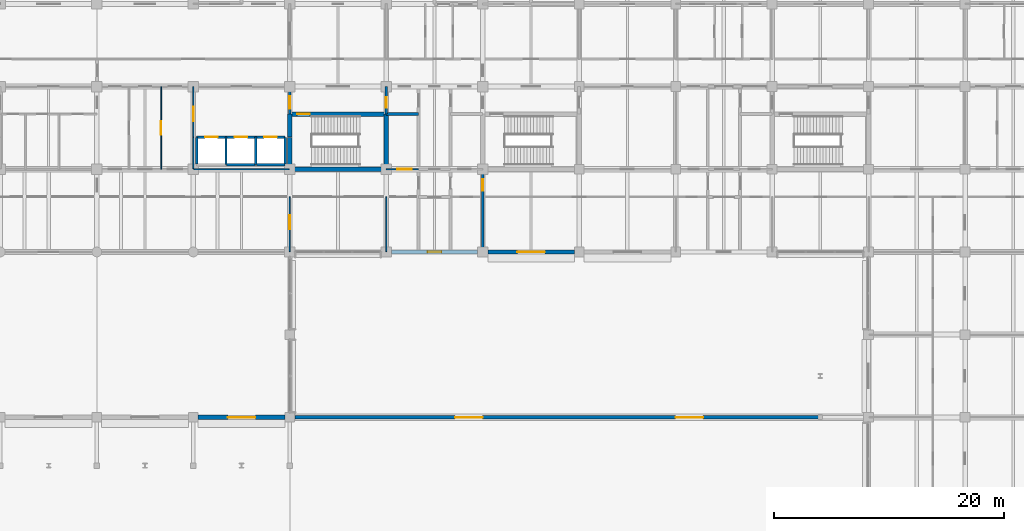
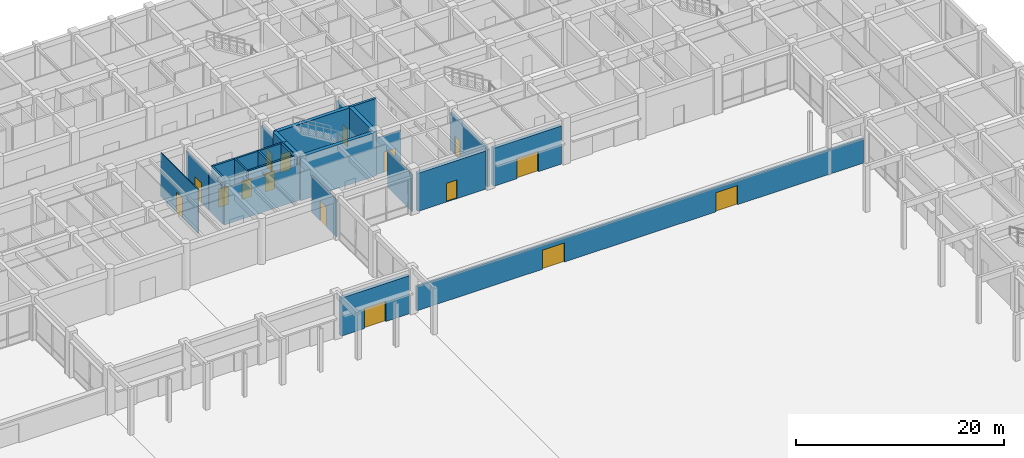
# One storey, part 48 of 73: 27 walls, 16 doors, 16 openings.
"""IFC4 building model written with IfcOpenShell, lengths in metres."""

from ifc_helpers import new_model, si_unit, direction, frame, frame_2d, origin, place, context, subcontext, project, spatial, rectangle, extrude, material, layer, layer_set, type_object, element, fill, save


model = new_model("IFC4")

# Units and contexts
model_context = context("Model", 3, precision=1e-05, world=origin(), true_north=direction((0.0, 1.0)))
body_context = subcontext(model_context, "Body", "Model", "MODEL_VIEW")
ifc_project = project(units=[si_unit("LENGTHUNIT", "METRE"), si_unit("AREAUNIT", "SQUARE_METRE"), si_unit("VOLUMEUNIT", "CUBIC_METRE"), si_unit("PLANEANGLEUNIT", "RADIAN"), si_unit("MASSUNIT", "GRAM", prefix="KILO")], contexts=[model_context])

# Site, building, storey
site_placement = place(None, origin())
site = spatial("IfcSite", under=ifc_project, at=site_placement, CompositionType="ELEMENT")
building_placement = place(site_placement, origin())
building = spatial("IfcBuilding", under=site, at=building_placement, Name="Chengyuan Square Courthouse", CompositionType="ELEMENT")
storey_placement = place(building_placement, origin())
storey = spatial("IfcBuildingStorey", under=building, at=storey_placement, Name="L01", CompositionType="ELEMENT", Elevation=0.0)

# Wall, opening, door
ifc_material_1 = material(Name="Concrete C40", Category="concrete")
ifc_layer_1 = layer(ifc_material_1, 0.3798828125)
ifc_layer_set_1 = layer_set([ifc_layer_1], Name="Concrete C40")
wall_type_1 = type_object("IfcWallType", Name="WL-EW1", PredefinedType="STANDARD", material=ifc_layer_set_1)
wall_1_placement = place(storey_placement, frame((92.820068359375, 64.800048828125, 0.0), z_axis=(0.0, 0.0, 1.0), x_axis=(1.0, 0.0, 0.0)))
wall_1 = element("IfcWall", 1, at=wall_1_placement, inside=storey, type_object=wall_type_1, Name="Exterior Wall WL-L01-E177", PredefinedType="STANDARD", context=body_context, shape_type="SweptSolid", body=[
    extrude(rectangle(XDim=7.559814453125, YDim=0.3798828125, at=frame_2d((3.77978515625, 0.0))), origin(), (0.0, 0.0, 1.0), 4.469970703125),
])
opening_1_placement = place(wall_1_placement, frame((2.580078125, 0.0, 0.0)))
opening_1 = element("IfcOpeningElement", 2, at=opening_1_placement, cuts=wall_1, Name="Opening E-12", PredefinedType="OPENING", context=body_context, shape_type="SweptSolid", body=[
    extrude(rectangle(XDim=2.39990234375, YDim=2.39990234375, at=frame_2d((1.199951171875, 1.199951171875))), frame((0.0, 0.201904296875, 0.0), z_axis=(0.0, -1.0, 0.0), x_axis=(1.0, 0.0, 0.0)), (0.0, 0.0, 1.0), 0.40380859375),
])
ifc_material_2 = material(Name="Glazed Bronze Civic Entrance Door")
door_type_1 = type_object("IfcDoorType", Name="DT-01", OperationType="DOUBLE_DOOR_SINGLE_SWING", PredefinedType="DOOR", material=ifc_material_2)
door_1_placement = place(opening_1_placement, frame((2.39990234375, 0.0, 0.0), z_axis=(0.0, 0.0, 1.0), x_axis=(-1.0, 0.0, 0.0)))
door_1 = element("IfcDoor", 3, at=door_1_placement, inside=storey, type_object=door_type_1, Name="Main Pedestrian Entrance Exit Door E-12", OperationType="DOUBLE_DOOR_SINGLE_SWING", OverallHeight=2.39990234375, OverallWidth=2.39990234375, PredefinedType="DOOR", context=body_context, shape_type="SweptSolid", body=[
    extrude(rectangle(XDim=2.39990234375, YDim=2.39990234375, at=frame_2d((1.199951171875, 1.199951171875))), frame((0.0, 0.02490234375, 0.0), z_axis=(0.0, -1.0, 0.0), x_axis=(1.0, 0.0, 0.0)), (0.0, 0.0, 1.0), 0.050048828125),
])
fill(opening_1, door_1)

wall_2_placement = place(storey_placement, frame((109.64501953125, 79.199951171875, 0.0), z_axis=(0.0, 0.0, 1.0), x_axis=(1.0, 0.0, 0.0)))
wall_2 = element("IfcWall", 4, at=wall_2_placement, inside=storey, type_object=wall_type_1, Name="Exterior Wall WL-L01-E180", PredefinedType="STANDARD", context=body_context, shape_type="SweptSolid", body=[
    extrude(rectangle(XDim=7.510009765625, YDim=0.3798828125, at=frame_2d((3.7548828125, 0.0))), origin(), (0.0, 0.0, 1.0), 4.469970703125),
])
opening_2_placement = place(wall_2_placement, frame((3.155029296875, 0.0, 0.0)))
opening_2 = element("IfcOpeningElement", 5, at=opening_2_placement, cuts=wall_2, Name="Opening E-27", PredefinedType="OPENING", context=body_context, shape_type="SweptSolid", body=[
    extrude(rectangle(XDim=1.199951171875, YDim=2.199951171875, at=frame_2d((0.60009765625, 1.10009765625))), frame((0.0, 0.201904296875, 0.0), z_axis=(0.0, -1.0, 0.0), x_axis=(1.0, 0.0, 0.0)), (0.0, 0.0, 1.0), 0.40380859375),
])
ifc_material_3 = material(Name="Steel Q235B Fire Exit Door", Category="steel")
door_type_2 = type_object("IfcDoorType", Name="DT-03", OperationType="NOTDEFINED", PredefinedType="DOOR", material=ifc_material_3)
door_2_placement = place(opening_2_placement, frame((1.199951171875, 0.0, 0.0), z_axis=(0.0, 0.0, 1.0), x_axis=(-1.0, 0.0, 0.0)))
door_2 = element("IfcDoor", 6, at=door_2_placement, inside=storey, type_object=door_type_2, Name="Protected Stair Exit Discharge Door E-27", OperationType="SINGLE_SWING_RIGHT", OverallHeight=2.199951171875, OverallWidth=1.199951171875, PredefinedType="DOOR", context=body_context, shape_type="SweptSolid", body=[
    extrude(rectangle(XDim=1.199951171875, YDim=2.199951171875, at=frame_2d((0.60009765625, 1.10009765625))), frame((0.0, 0.02490234375, 0.0), z_axis=(0.0, -1.0, 0.0), x_axis=(1.0, 0.0, 0.0)), (0.0, 0.0, 1.0), 0.050048828125),
])
fill(opening_2, door_2)

wall_3_placement = place(storey_placement, frame((118.044921875, 79.199951171875, 0.0), z_axis=(0.0, 0.0, 1.0), x_axis=(1.0, 0.0, 0.0)))
wall_3 = element("IfcWall", 7, at=wall_3_placement, inside=storey, type_object=wall_type_1, Name="Exterior Wall WL-L01-E183", PredefinedType="STANDARD", context=body_context, shape_type="SweptSolid", body=[
    extrude(rectangle(XDim=7.53515625, YDim=0.3798828125, at=frame_2d((3.767578125, 0.0))), origin(), (0.0, 0.0, 1.0), 4.469970703125),
])
opening_3_placement = place(wall_3_placement, frame((2.5673828125, 0.0, 0.0)))
opening_3 = element("IfcOpeningElement", 8, at=opening_3_placement, cuts=wall_3, Name="Opening E-14", PredefinedType="OPENING", context=body_context, shape_type="SweptSolid", body=[
    extrude(rectangle(XDim=2.39990234375, YDim=2.39990234375, at=frame_2d((1.199951171875, 1.199951171875))), frame((0.0, 0.201904296875, 0.0), z_axis=(0.0, -1.0, 0.0), x_axis=(1.0, 0.0, 0.0)), (0.0, 0.0, 1.0), 0.40380859375),
])
door_3_placement = place(opening_3_placement, frame((2.39990234375, 0.0, 0.0), z_axis=(0.0, 0.0, 1.0), x_axis=(-1.0, 0.0, 0.0)))
door_3 = element("IfcDoor", 9, at=door_3_placement, inside=storey, type_object=door_type_1, Name="Main Pedestrian Entrance Exit Door E-14", OperationType="DOUBLE_DOOR_SINGLE_SWING", OverallHeight=2.39990234375, OverallWidth=2.39990234375, PredefinedType="DOOR", context=body_context, shape_type="SweptSolid", body=[
    extrude(rectangle(XDim=2.39990234375, YDim=2.39990234375, at=frame_2d((1.199951171875, 1.199951171875))), frame((0.0, 0.02490234375, 0.0), z_axis=(0.0, -1.0, 0.0), x_axis=(1.0, 0.0, 0.0)), (0.0, 0.0, 1.0), 0.050048828125),
])
fill(opening_3, door_3)

# Wall, openings, doors
ifc_layer_2 = layer(ifc_material_1, 0.280029296875)
ifc_layer_set_2 = layer_set([ifc_layer_2], Name="Concrete C40")
wall_type_2 = type_object("IfcWallType", Name="WL-EW4", PredefinedType="STANDARD", material=ifc_layer_set_2)
wall_4_placement = place(storey_placement, frame((101.25, 64.800048828125, 0.0), z_axis=(0.0, 0.0, 1.0), x_axis=(1.0, 0.0, 0.0)))
wall_4 = element("IfcWall", 10, at=wall_4_placement, inside=storey, type_object=wall_type_2, Name="Forecourt Ceremonial Colonnade Screen WL-SCR-E", PredefinedType="STANDARD", context=body_context, shape_type="SweptSolid", body=[
    extrude(rectangle(XDim=49.5, YDim=0.280029296875, at=frame_2d((24.75, 0.0))), origin(), (0.0, 0.0, 1.0), 2.85009765625),
])
opening_4_placement = place(wall_4_placement, frame((13.949951171875, 0.0, 0.0)))
opening_4 = element("IfcOpeningElement", 11, at=opening_4_placement, cuts=wall_4, Name="Opening GT-04", PredefinedType="OPENING", context=body_context, shape_type="SweptSolid", body=[
    extrude(rectangle(XDim=2.39990234375, YDim=2.25, at=frame_2d((1.199951171875, 1.125))), frame((0.0, 0.152099609375, 0.0), z_axis=(0.0, -1.0, 0.0), x_axis=(1.0, 0.0, 0.0)), (0.0, 0.0, 1.0), 0.303955078125),
])
opening_5_placement = place(wall_4_placement, frame((33.14990234375, 0.0, 0.0)))
opening_5 = element("IfcOpeningElement", 12, at=opening_5_placement, cuts=wall_4, Name="Opening GT-05", PredefinedType="OPENING", context=body_context, shape_type="SweptSolid", body=[
    extrude(rectangle(XDim=2.39990234375, YDim=2.25, at=frame_2d((1.199951171875, 1.125))), frame((0.0, 0.152099609375, 0.0), z_axis=(0.0, -1.0, 0.0), x_axis=(1.0, 0.0, 0.0)), (0.0, 0.0, 1.0), 0.303955078125),
])
ifc_material_4 = material(Name="Steel Q235B Courtyard Gate", Category="steel")
door_type_3 = type_object("IfcDoorType", Name="DT-45", OperationType="DOUBLE_DOOR_SINGLE_SWING", PredefinedType="GATE", material=ifc_material_4)
door_4_placement = place(opening_4_placement, frame((2.39990234375, 0.0, 0.0), z_axis=(0.0, 0.0, 1.0), x_axis=(-1.0, 0.0, 0.0)))
door_4 = element("IfcDoor", 13, at=door_4_placement, inside=storey, type_object=door_type_3, Name="Forecourt Ceremonial Gate GT-04", OperationType="DOUBLE_DOOR_SINGLE_SWING", OverallHeight=2.25, OverallWidth=2.39990234375, PredefinedType="GATE", context=body_context, shape_type="SweptSolid", body=[
    extrude(rectangle(XDim=2.39990234375, YDim=2.25, at=frame_2d((1.199951171875, 1.125))), frame((0.0, 0.02490234375, 0.0), z_axis=(0.0, -1.0, 0.0), x_axis=(1.0, 0.0, 0.0)), (0.0, 0.0, 1.0), 0.050048828125),
])
fill(opening_4, door_4)
door_5_placement = place(opening_5_placement, frame((2.39990234375, 0.0, 0.0), z_axis=(0.0, 0.0, 1.0), x_axis=(-1.0, 0.0, 0.0)))
door_5 = element("IfcDoor", 14, at=door_5_placement, inside=storey, type_object=door_type_3, Name="Forecourt Ceremonial Gate GT-05", OperationType="DOUBLE_DOOR_SINGLE_SWING", OverallHeight=2.25, OverallWidth=2.39990234375, PredefinedType="GATE", context=body_context, shape_type="SweptSolid", body=[
    extrude(rectangle(XDim=2.39990234375, YDim=2.25, at=frame_2d((1.199951171875, 1.125))), frame((0.0, 0.02490234375, 0.0), z_axis=(0.0, -1.0, 0.0), x_axis=(1.0, 0.0, 0.0)), (0.0, 0.0, 1.0), 0.050048828125),
])
fill(opening_5, door_5)

# Wall
ifc_layer_3 = layer(ifc_material_1, 0.25)
ifc_layer_set_3 = layer_set([ifc_layer_3], Name="Concrete C40")
wall_type_3 = type_object("IfcWallType", Name="WL-FW1", PredefinedType="STANDARD", material=ifc_layer_set_3)
wall_5_placement = place(storey_placement, frame((109.199951171875, 91.199951171875, 0.0), z_axis=(0.0, 0.0, 1.0), x_axis=(1.0, 0.0, 0.0)))
element("IfcWall", 15, at=wall_5_placement, inside=storey, type_object=wall_type_3, Name="Interior Wall WL-L01-I720", PredefinedType="STANDARD", context=body_context, shape_type="SweptSolid", body=[
    extrude(rectangle(XDim=2.800048828125, YDim=0.25, at=frame_2d((1.39990234375, 0.0))), origin(), (0.0, 0.0, 1.0), 5.1201171875),
])

# Wall, opening, door
wall_6_placement = place(storey_placement, frame((100.800048828125, 91.199951171875, 0.0), z_axis=(0.0, 0.0, 1.0), x_axis=(0.0, 1.0, 0.0)))
wall_6 = element("IfcWall", 16, at=wall_6_placement, inside=storey, type_object=wall_type_3, Name="Interior Wall WL-L01-I940", PredefinedType="STANDARD", context=body_context, shape_type="SweptSolid", body=[
    extrude(rectangle(XDim=2.400146484375, YDim=0.25, at=frame_2d((1.2001953125, 0.0))), origin(), (0.0, 0.0, 1.0), 4.3701171875),
])
opening_6_placement = place(wall_6_placement, frame((0.465087890625, 0.0, 0.0)))
opening_6 = element("IfcOpeningElement", 17, at=opening_6_placement, cuts=wall_6, Name="Opening DR-677", PredefinedType="OPENING", context=body_context, shape_type="SweptSolid", body=[
    extrude(rectangle(XDim=1.10009765625, YDim=2.199951171875, at=frame_2d((0.550048828125, 1.10009765625))), frame((0.0, 0.136962890625, 0.0), z_axis=(0.0, -1.0, 0.0), x_axis=(1.0, 0.0, 0.0)), (0.0, 0.0, 1.0), 0.27392578125),
])
ifc_material_5 = material(Name="Steel Q235B Fire Door", Category="steel")
door_type_4 = type_object("IfcDoorType", Name="DT-10", OperationType="NOTDEFINED", PredefinedType="DOOR", material=ifc_material_5)
door_6_placement = place(opening_6_placement, origin())
door_6 = element("IfcDoor", 18, at=door_6_placement, inside=storey, type_object=door_type_4, Name="Interior Door DR-677", OperationType="SINGLE_SWING_LEFT", OverallHeight=2.199951171875, OverallWidth=1.10009765625, PredefinedType="DOOR", context=body_context, shape_type="SweptSolid", body=[
    extrude(rectangle(XDim=1.10009765625, YDim=2.199951171875, at=frame_2d((0.550048828125, 1.10009765625))), frame((0.0, 0.02490234375, 0.0), z_axis=(0.0, -1.0, 0.0), x_axis=(1.0, 0.0, 0.0)), (0.0, 0.0, 1.0), 0.050048828125),
])
fill(opening_6, door_6)

wall_7_placement = place(storey_placement, frame((109.199951171875, 91.199951171875, 0.0), z_axis=(0.0, 0.0, 1.0), x_axis=(0.0, 1.0, 0.0)))
wall_7 = element("IfcWall", 19, at=wall_7_placement, inside=storey, type_object=wall_type_3, Name="Interior Wall WL-L01-I948", PredefinedType="STANDARD", context=body_context, shape_type="SweptSolid", body=[
    extrude(rectangle(XDim=2.400146484375, YDim=0.25, at=frame_2d((1.2001953125, 0.0))), origin(), (0.0, 0.0, 1.0), 4.3701171875),
])
opening_7_placement = place(wall_7_placement, frame((0.5400390625, 0.0, 0.0)))
opening_7 = element("IfcOpeningElement", 20, at=opening_7_placement, cuts=wall_7, Name="Opening DR-679", PredefinedType="OPENING", context=body_context, shape_type="SweptSolid", body=[
    extrude(rectangle(XDim=0.949951171875, YDim=2.14990234375, at=frame_2d((0.47509765625, 1.074951171875))), frame((0.0, 0.136962890625, 0.0), z_axis=(0.0, -1.0, 0.0), x_axis=(1.0, 0.0, 0.0)), (0.0, 0.0, 1.0), 0.27392578125),
])
door_type_5 = type_object("IfcDoorType", Name="DT-12", OperationType="NOTDEFINED", PredefinedType="DOOR", material=ifc_material_5)
door_7_placement = place(opening_7_placement, origin())
door_7 = element("IfcDoor", 21, at=door_7_placement, inside=storey, type_object=door_type_5, Name="Interior Door DR-679", OperationType="SINGLE_SWING_RIGHT", OverallHeight=2.14990234375, OverallWidth=0.949951171875, PredefinedType="DOOR", context=body_context, shape_type="SweptSolid", body=[
    extrude(rectangle(XDim=0.949951171875, YDim=2.14990234375, at=frame_2d((0.47509765625, 1.074951171875))), frame((0.0, 0.02490234375, 0.0), z_axis=(0.0, -1.0, 0.0), x_axis=(1.0, 0.0, 0.0)), (0.0, 0.0, 1.0), 0.050048828125),
])
fill(opening_7, door_7)

wall_8_placement = place(storey_placement, frame((117.60009765625, 79.239990234375, 0.0), z_axis=(0.0, 0.0, 1.0), x_axis=(0.0, 1.0, 0.0)))
wall_8 = element("IfcWall", 22, at=wall_8_placement, inside=storey, type_object=wall_type_3, Name="Interior Wall WL-L01-I962", PredefinedType="STANDARD", context=body_context, shape_type="SweptSolid", body=[
    extrude(rectangle(XDim=7.159912109375, YDim=0.25, at=frame_2d((3.580078125, 0.0))), origin(), (0.0, 0.0, 1.0), 4.3701171875),
])
opening_8_placement = place(wall_8_placement, frame((5.27490234375, 0.0, 0.0)))
opening_8 = element("IfcOpeningElement", 23, at=opening_8_placement, cuts=wall_8, Name="Opening DR-930", PredefinedType="OPENING", context=body_context, shape_type="SweptSolid", body=[
    extrude(rectangle(XDim=1.0, YDim=2.199951171875, at=frame_2d((0.5, 1.10009765625))), frame((0.0, 0.136962890625, 0.0), z_axis=(0.0, -1.0, 0.0), x_axis=(1.0, 0.0, 0.0)), (0.0, 0.0, 1.0), 0.27392578125),
])
door_type_6 = type_object("IfcDoorType", Name="DT-11", OperationType="NOTDEFINED", PredefinedType="DOOR", material=ifc_material_5)
door_8_placement = place(opening_8_placement, origin())
door_8 = element("IfcDoor", 24, at=door_8_placement, inside=storey, type_object=door_type_6, Name="Interior Door DR-930", OperationType="SINGLE_SWING_LEFT", OverallHeight=2.199951171875, OverallWidth=1.0, PredefinedType="DOOR", context=body_context, shape_type="SweptSolid", body=[
    extrude(rectangle(XDim=1.0, YDim=2.199951171875, at=frame_2d((0.5, 1.10009765625))), frame((0.0, 0.02490234375, 0.0), z_axis=(0.0, -1.0, 0.0), x_axis=(1.0, 0.0, 0.0)), (0.0, 0.0, 1.0), 0.050048828125),
])
fill(opening_8, door_8)

# Wall
ifc_material_6 = material(Name="Gypsum Plasterboard Acoustic Stud Partition")
ifc_layer_4 = layer(ifc_material_6, 0.10009765625)
ifc_layer_set_4 = layer_set([ifc_layer_4], Name="Gypsum Plasterboard Acoustic Stud Partition")
wall_type_4 = type_object("IfcWallType", Name="WL-PT6", PredefinedType="STANDARD", material=ifc_layer_set_4)
wall_9_placement = place(storey_placement, frame((92.449951171875, 86.39990234375, 0.0), z_axis=(0.0, 0.0, 1.0), x_axis=(1.0, 0.0, 0.0)))
element("IfcWall", 25, at=wall_9_placement, inside=storey, type_object=wall_type_4, Name="Interior Wall WL-L01-I693", PredefinedType="STANDARD", context=body_context, shape_type="SweptSolid", body=[
    extrude(rectangle(XDim=8.300048828125, YDim=0.10009765625, at=frame_2d((4.14990234375, 0.0))), origin(), (0.0, 0.0, 1.0), 4.27001953125),
])

# Wall, opening, door
wall_10_placement = place(storey_placement, frame((109.199951171875, 86.39990234375, 0.0), z_axis=(0.0, 0.0, 1.0), x_axis=(1.0, 0.0, 0.0)))
wall_10 = element("IfcWall", 26, at=wall_10_placement, inside=storey, type_object=wall_type_4, Name="Interior Wall WL-L01-I695", PredefinedType="STANDARD", context=body_context, shape_type="SweptSolid", body=[
    extrude(rectangle(XDim=2.800048828125, YDim=0.10009765625, at=frame_2d((1.39990234375, 0.0))), origin(), (0.0, 0.0, 1.0), 4.27001953125),
])
opening_9_placement = place(wall_10_placement, frame((0.945068359375, 0.0, 0.0)))
opening_9 = element("IfcOpeningElement", 27, at=opening_9_placement, cuts=wall_10, Name="Opening DR-877", PredefinedType="OPENING", context=body_context, shape_type="SweptSolid", body=[
    extrude(rectangle(XDim=1.280029296875, YDim=2.35009765625, at=frame_2d((0.64013671875, 1.175048828125))), frame((0.0, 0.06201171875, 0.0), z_axis=(0.0, -1.0, 0.0), x_axis=(1.0, 0.0, 0.0)), (0.0, 0.0, 1.0), 0.1240234375),
])
ifc_material_7 = material(Name="Acoustic Solid-Core Timber Door", Category="wood")
door_type_7 = type_object("IfcDoorType", Name="DT-38", OperationType="NOTDEFINED", PredefinedType="DOOR", material=ifc_material_7)
door_9_placement = place(opening_9_placement, origin())
door_9 = element("IfcDoor", 28, at=door_9_placement, inside=storey, type_object=door_type_7, Name="Interior Door DR-877", OperationType="SINGLE_SWING_RIGHT", OverallHeight=2.35009765625, OverallWidth=1.280029296875, PredefinedType="DOOR", context=body_context, shape_type="SweptSolid", body=[
    extrude(rectangle(XDim=1.280029296875, YDim=2.35009765625, at=frame_2d((0.64013671875, 1.175048828125))), frame((0.0, 0.02490234375, 0.0), z_axis=(0.0, -1.0, 0.0), x_axis=(1.0, 0.0, 0.0)), (0.0, 0.0, 1.0), 0.050048828125),
])
fill(opening_9, door_9)

wall_11_placement = place(storey_placement, frame((89.60009765625, 86.39990234375, 0.0), z_axis=(0.0, 0.0, 1.0), x_axis=(0.0, 1.0, 0.0)))
wall_11 = element("IfcWall", 29, at=wall_11_placement, inside=storey, type_object=wall_type_4, Name="Interior Wall WL-L01-I922", PredefinedType="STANDARD", context=body_context, shape_type="SweptSolid", body=[
    extrude(rectangle(XDim=7.2001953125, YDim=0.10009765625, at=frame_2d((3.60009765625, 0.0))), origin(), (0.0, 0.0, 1.0), 5.1201171875),
])
opening_10_placement = place(wall_11_placement, frame((3.02001953125, 0.0, 0.0)))
opening_10 = element("IfcOpeningElement", 30, at=opening_10_placement, cuts=wall_11, Name="Opening DR-874", PredefinedType="OPENING", context=body_context, shape_type="SweptSolid", body=[
    extrude(rectangle(XDim=1.159912109375, YDim=2.300048828125, at=frame_2d((0.580078125, 1.14990234375))), frame((0.0, 0.06201171875, 0.0), z_axis=(0.0, -1.0, 0.0), x_axis=(1.0, 0.0, 0.0)), (0.0, 0.0, 1.0), 0.1240234375),
])
door_type_8 = type_object("IfcDoorType", Name="DT-35", OperationType="NOTDEFINED", PredefinedType="DOOR", material=ifc_material_7)
door_10_placement = place(opening_10_placement, origin())
door_10 = element("IfcDoor", 31, at=door_10_placement, inside=storey, type_object=door_type_8, Name="Interior Door DR-874", OperationType="SINGLE_SWING_LEFT", OverallHeight=2.300048828125, OverallWidth=1.159912109375, PredefinedType="DOOR", context=body_context, shape_type="SweptSolid", body=[
    extrude(rectangle(XDim=1.159912109375, YDim=2.300048828125, at=frame_2d((0.580078125, 1.14990234375))), frame((0.0, 0.02490234375, 0.0), z_axis=(0.0, -1.0, 0.0), x_axis=(1.0, 0.0, 0.0)), (0.0, 0.0, 1.0), 0.050048828125),
])
fill(opening_10, door_10)

# Wall
wall_12_placement = place(storey_placement, frame((92.39990234375, 86.449951171875, 0.0), z_axis=(0.0, 0.0, 1.0), x_axis=(0.0, 1.0, 0.0)))
element("IfcWall", 32, at=wall_12_placement, inside=storey, type_object=wall_type_4, Name="Interior Wall WL-L01-I924", PredefinedType="STANDARD", context=body_context, shape_type="SweptSolid", body=[
    extrude(rectangle(XDim=2.699951171875, YDim=0.10009765625, at=frame_2d((1.35009765625, 0.0))), origin(), (0.0, 0.0, 1.0), 4.3701171875),
])

# Wall, opening, door
wall_13_placement = place(storey_placement, frame((92.39990234375, 89.199951171875, 0.0), z_axis=(0.0, 0.0, 1.0), x_axis=(0.0, 1.0, 0.0)))
wall_13 = element("IfcWall", 33, at=wall_13_placement, inside=storey, type_object=wall_type_4, Name="Interior Wall WL-L01-I925", PredefinedType="STANDARD", context=body_context, shape_type="SweptSolid", body=[
    extrude(rectangle(XDim=4.400146484375, YDim=0.10009765625, at=frame_2d((2.2001953125, 0.0))), origin(), (0.0, 0.0, 1.0), 4.3701171875),
])
opening_11_placement = place(wall_13_placement, frame((1.375, 0.0, 0.0)))
opening_11 = element("IfcOpeningElement", 34, at=opening_11_placement, cuts=wall_13, Name="Opening DR-741", PredefinedType="OPENING", context=body_context, shape_type="SweptSolid", body=[
    extrude(rectangle(XDim=1.280029296875, YDim=2.35009765625, at=frame_2d((0.64013671875, 1.175048828125))), frame((0.0, 0.06201171875, 0.0), z_axis=(0.0, -1.0, 0.0), x_axis=(1.0, 0.0, 0.0)), (0.0, 0.0, 1.0), 0.1240234375),
])
door_11_placement = place(opening_11_placement, origin())
door_11 = element("IfcDoor", 35, at=door_11_placement, inside=storey, type_object=door_type_7, Name="Interior Door DR-741", OperationType="SINGLE_SWING_LEFT", OverallHeight=2.35009765625, OverallWidth=1.280029296875, PredefinedType="DOOR", context=body_context, shape_type="SweptSolid", body=[
    extrude(rectangle(XDim=1.280029296875, YDim=2.35009765625, at=frame_2d((0.64013671875, 1.175048828125))), frame((0.0, 0.02490234375, 0.0), z_axis=(0.0, -1.0, 0.0), x_axis=(1.0, 0.0, 0.0)), (0.0, 0.0, 1.0), 0.050048828125),
])
fill(opening_11, door_11)

wall_14_placement = place(storey_placement, frame((100.800048828125, 79.239990234375, 0.0), z_axis=(0.0, 0.0, 1.0), x_axis=(0.0, 1.0, 0.0)))
wall_14 = element("IfcWall", 36, at=wall_14_placement, inside=storey, type_object=wall_type_4, Name="Interior Wall WL-L01-I937", PredefinedType="STANDARD", context=body_context, shape_type="SweptSolid", body=[
    extrude(rectangle(XDim=4.760009765625, YDim=0.10009765625, at=frame_2d((2.3798828125, 0.0))), origin(), (0.0, 0.0, 1.0), 4.3701171875),
])
opening_12_placement = place(wall_14_placement, frame((1.945068359375, 0.0, 0.0)))
opening_12 = element("IfcOpeningElement", 37, at=opening_12_placement, cuts=wall_14, Name="Opening DR-943", PredefinedType="OPENING", context=body_context, shape_type="SweptSolid", body=[
    extrude(rectangle(XDim=1.199951171875, YDim=2.35009765625, at=frame_2d((0.60009765625, 1.175048828125))), frame((0.0, 0.06201171875, 0.0), z_axis=(0.0, -1.0, 0.0), x_axis=(1.0, 0.0, 0.0)), (0.0, 0.0, 1.0), 0.1240234375),
])
door_type_9 = type_object("IfcDoorType", Name="DT-36", OperationType="NOTDEFINED", PredefinedType="DOOR", material=ifc_material_7)
door_12_placement = place(opening_12_placement, origin())
door_12 = element("IfcDoor", 38, at=door_12_placement, inside=storey, type_object=door_type_9, Name="Interior Door DR-943", OperationType="SINGLE_SWING_LEFT", OverallHeight=2.35009765625, OverallWidth=1.199951171875, PredefinedType="DOOR", context=body_context, shape_type="SweptSolid", body=[
    extrude(rectangle(XDim=1.199951171875, YDim=2.35009765625, at=frame_2d((0.60009765625, 1.175048828125))), frame((0.0, 0.02490234375, 0.0), z_axis=(0.0, -1.0, 0.0), x_axis=(1.0, 0.0, 0.0)), (0.0, 0.0, 1.0), 0.050048828125),
])
fill(opening_12, door_12)

# Walls
wall_15_placement = place(storey_placement, frame((109.199951171875, 79.239990234375, 0.0), z_axis=(0.0, 0.0, 1.0), x_axis=(0.0, 1.0, 0.0)))
element("IfcWall", 39, at=wall_15_placement, inside=storey, type_object=wall_type_4, Name="Interior Wall WL-L01-I946", PredefinedType="STANDARD", context=body_context, shape_type="SweptSolid", body=[
    extrude(rectangle(XDim=4.760009765625, YDim=0.10009765625, at=frame_2d((2.3798828125, 0.0))), origin(), (0.0, 0.0, 1.0), 4.3701171875),
])
ifc_material_8 = material(Name="Reinforced Masonry Shaft Enclosure", Category="masonry")
ifc_layer_5 = layer(ifc_material_8, 0.199951171875)
ifc_layer_set_5 = layer_set([ifc_layer_5], Name="Reinforced Masonry Shaft Enclosure")
wall_type_5 = type_object("IfcWallType", Name="WL-SH1", PredefinedType="STANDARD", material=ifc_layer_set_5)
for number, where, z_axis, x_axis, name in (
    (40, (95.300048828125, 86.800048828125, 0.0), (0.0, 0.0, 1.0), (1.0, 0.0, 0.0), "Interior Wall WL-L01-I708"),
    (41, (97.89990234375, 86.800048828125, 0.0), (0.0, 0.0, 1.0), (1.0, 0.0, 0.0), "Interior Wall WL-L01-I709"),
):
    element("IfcWall", number, at=place(storey_placement, frame(where, z_axis=z_axis, x_axis=x_axis)), inside=storey, type_object=wall_type_5, Name=name, PredefinedType="STANDARD", context=body_context, shape_type="SweptSolid", body=[
        extrude(rectangle(XDim=2.5, YDim=0.199951171875, at=frame_2d((1.25, 0.0))), origin(), (0.0, 0.0, 1.0), 5.1201171875),
    ])

# Wall, openings, doors
wall_16_placement = place(storey_placement, frame((92.699951171875, 89.199951171875, 0.0), z_axis=(0.0, 0.0, 1.0), x_axis=(1.0, 0.0, 0.0)))
wall_16 = element("IfcWall", 42, at=wall_16_placement, inside=storey, type_object=wall_type_5, Name="Interior Wall WL-L01-I711", PredefinedType="STANDARD", context=body_context, shape_type="SweptSolid", body=[
    extrude(rectangle(XDim=7.699951171875, YDim=0.199951171875, at=frame_2d((3.85009765625, 0.0))), origin(), (0.0, 0.0, 1.0), 5.1201171875),
])
opening_13_placement = place(wall_16_placement, frame((0.72509765625, 0.0, 0.0)))
opening_13 = element("IfcOpeningElement", 43, at=opening_13_placement, cuts=wall_16, Name="Opening LD-032", PredefinedType="OPENING", context=body_context, shape_type="SweptSolid", body=[
    extrude(rectangle(XDim=1.10009765625, YDim=2.14990234375, at=frame_2d((0.550048828125, 1.074951171875))), frame((0.0, 0.112060546875, 0.0), z_axis=(0.0, -1.0, 0.0), x_axis=(1.0, 0.0, 0.0)), (0.0, 0.0, 1.0), 0.223876953125),
])
opening_14_placement = place(wall_16_placement, frame((3.300048828125, 0.0, 0.0)))
opening_14 = element("IfcOpeningElement", 44, at=opening_14_placement, cuts=wall_16, Name="Opening LD-033", PredefinedType="OPENING", context=body_context, shape_type="SweptSolid", body=[
    extrude(rectangle(XDim=1.10009765625, YDim=2.14990234375, at=frame_2d((0.550048828125, 1.074951171875))), frame((0.0, 0.112060546875, 0.0), z_axis=(0.0, -1.0, 0.0), x_axis=(1.0, 0.0, 0.0)), (0.0, 0.0, 1.0), 0.223876953125),
])
opening_15_placement = place(wall_16_placement, frame((5.875, 0.0, 0.0)))
opening_15 = element("IfcOpeningElement", 45, at=opening_15_placement, cuts=wall_16, Name="Opening LD-034", PredefinedType="OPENING", context=body_context, shape_type="SweptSolid", body=[
    extrude(rectangle(XDim=1.10009765625, YDim=2.14990234375, at=frame_2d((0.550048828125, 1.074951171875))), frame((0.0, 0.112060546875, 0.0), z_axis=(0.0, -1.0, 0.0), x_axis=(1.0, 0.0, 0.0)), (0.0, 0.0, 1.0), 0.223876953125),
])
ifc_material_9 = material(Name="Stainless Steel S30408 Lift Landing Door", Category="steel")
door_type_10 = type_object("IfcDoorType", Name="DT-06", OperationType="DOUBLE_DOOR_SLIDING", PredefinedType="DOOR", material=ifc_material_9)
door_13_placement = place(opening_13_placement, origin())
door_13 = element("IfcDoor", 46, at=door_13_placement, inside=storey, type_object=door_type_10, Name="Lift Landing Door LF-P4 L01", OperationType="DOUBLE_DOOR_SLIDING", OverallHeight=2.14990234375, OverallWidth=1.10009765625, PredefinedType="DOOR", context=body_context, shape_type="SweptSolid", body=[
    extrude(rectangle(XDim=1.10009765625, YDim=2.14990234375, at=frame_2d((0.550048828125, 1.074951171875))), frame((0.0, 0.02490234375, 0.0), z_axis=(0.0, -1.0, 0.0), x_axis=(1.0, 0.0, 0.0)), (0.0, 0.0, 1.0), 0.050048828125),
])
fill(opening_13, door_13)
door_14_placement = place(opening_14_placement, origin())
door_14 = element("IfcDoor", 47, at=door_14_placement, inside=storey, type_object=door_type_10, Name="Lift Landing Door LF-P5 L01", OperationType="DOUBLE_DOOR_SLIDING", OverallHeight=2.14990234375, OverallWidth=1.10009765625, PredefinedType="DOOR", context=body_context, shape_type="SweptSolid", body=[
    extrude(rectangle(XDim=1.10009765625, YDim=2.14990234375, at=frame_2d((0.550048828125, 1.074951171875))), frame((0.0, 0.02490234375, 0.0), z_axis=(0.0, -1.0, 0.0), x_axis=(1.0, 0.0, 0.0)), (0.0, 0.0, 1.0), 0.050048828125),
])
fill(opening_14, door_14)
door_15_placement = place(opening_15_placement, origin())
door_15 = element("IfcDoor", 48, at=door_15_placement, inside=storey, type_object=door_type_10, Name="Lift Landing Door LF-P6 L01", OperationType="DOUBLE_DOOR_SLIDING", OverallHeight=2.14990234375, OverallWidth=1.10009765625, PredefinedType="DOOR", context=body_context, shape_type="SweptSolid", body=[
    extrude(rectangle(XDim=1.10009765625, YDim=2.14990234375, at=frame_2d((0.550048828125, 1.074951171875))), frame((0.0, 0.02490234375, 0.0), z_axis=(0.0, -1.0, 0.0), x_axis=(1.0, 0.0, 0.0)), (0.0, 0.0, 1.0), 0.050048828125),
])
fill(opening_15, door_15)

# Walls
wall_17_placement = place(storey_placement, frame((92.699951171875, 86.85009765625, 0.0), z_axis=(0.0, 0.0, 1.0), x_axis=(0.0, 1.0, 0.0)))
element("IfcWall", 49, at=wall_17_placement, inside=storey, type_object=wall_type_5, Name="Interior Wall WL-L01-I929", PredefinedType="STANDARD", context=body_context, shape_type="SweptSolid", body=[
    extrude(rectangle(XDim=2.2998046875, YDim=0.199951171875, at=frame_2d((1.14990234375, 0.0))), origin(), (0.0, 0.0, 1.0), 5.1201171875),
])
for number, where, z_axis, x_axis, name in (
    (50, (95.25, 86.800048828125, 0.0), (0.0, 0.0, 1.0), (0.0, 1.0, 0.0), "Interior Wall WL-L01-I930"),
    (51, (97.85009765625, 86.800048828125, 0.0), (0.0, 0.0, 1.0), (0.0, 1.0, 0.0), "Interior Wall WL-L01-I934"),
):
    element("IfcWall", number, at=place(storey_placement, frame(where, z_axis=z_axis, x_axis=x_axis)), inside=storey, type_object=wall_type_5, Name=name, PredefinedType="STANDARD", context=body_context, shape_type="SweptSolid", body=[
        extrude(rectangle(XDim=2.39990234375, YDim=0.199951171875, at=frame_2d((1.199951171875, 0.0))), origin(), (0.0, 0.0, 1.0), 5.1201171875),
    ])
wall_18_placement = place(storey_placement, frame((100.39990234375, 86.85009765625, 0.0), z_axis=(0.0, 0.0, 1.0), x_axis=(0.0, 1.0, 0.0)))
element("IfcWall", 52, at=wall_18_placement, inside=storey, type_object=wall_type_5, Name="Interior Wall WL-L01-I935", PredefinedType="STANDARD", context=body_context, shape_type="SweptSolid", body=[
    extrude(rectangle(XDim=2.2998046875, YDim=0.199951171875, at=frame_2d((1.14990234375, 0.0))), origin(), (0.0, 0.0, 1.0), 5.1201171875),
])
ifc_material_10 = material(Name="Concrete C50", Category="concrete")
ifc_layer_6 = layer(ifc_material_10, 0.39990234375)
ifc_layer_set_6 = layer_set([ifc_layer_6], Name="Concrete C50")
wall_type_6 = type_object("IfcWallType", Name="WL-SW1", PredefinedType="SHEAR", material=ifc_layer_set_6)
wall_19_placement = place(storey_placement, frame((100.800048828125, 86.39990234375, 0.0), z_axis=(0.0, 0.0, 1.0), x_axis=(1.0, 0.0, 0.0)))
element("IfcWall", 53, at=wall_19_placement, inside=storey, type_object=wall_type_6, Name="Interior Wall WL-L01-I694", PredefinedType="SHEAR", context=body_context, shape_type="SweptSolid", body=[
    extrude(rectangle(XDim=8.39990234375, YDim=0.39990234375, at=frame_2d((4.199951171875, 0.0))), origin(), (0.0, 0.0, 1.0), 5.1201171875),
])

# Wall, opening, door
wall_20_placement = place(storey_placement, frame((100.800048828125, 91.199951171875, 0.0), z_axis=(0.0, 0.0, 1.0), x_axis=(1.0, 0.0, 0.0)))
wall_20 = element("IfcWall", 54, at=wall_20_placement, inside=storey, type_object=wall_type_6, Name="Interior Wall WL-L01-I719", PredefinedType="SHEAR", context=body_context, shape_type="SweptSolid", body=[
    extrude(rectangle(XDim=8.39990234375, YDim=0.39990234375, at=frame_2d((4.199951171875, 0.0))), origin(), (0.0, 0.0, 1.0), 5.1201171875),
])
opening_16_placement = place(wall_20_placement, frame((0.64990234375, 0.0, 0.0)))
opening_16 = element("IfcOpeningElement", 55, at=opening_16_placement, cuts=wall_20, Name="Opening DR-661", PredefinedType="OPENING", context=body_context, shape_type="SweptSolid", body=[
    extrude(rectangle(XDim=1.10009765625, YDim=2.199951171875, at=frame_2d((0.550048828125, 1.10009765625))), frame((0.0, 0.2119140625, 0.0), z_axis=(0.0, -1.0, 0.0), x_axis=(1.0, 0.0, 0.0)), (0.0, 0.0, 1.0), 0.423828125),
])
door_16_placement = place(opening_16_placement, origin())
door_16 = element("IfcDoor", 56, at=door_16_placement, inside=storey, type_object=door_type_4, Name="Smoke-Proof Stairwell Fire Door ST-4 DR-661", OperationType="SINGLE_SWING_RIGHT", OverallHeight=2.199951171875, OverallWidth=1.10009765625, PredefinedType="DOOR", context=body_context, shape_type="SweptSolid", body=[
    extrude(rectangle(XDim=1.10009765625, YDim=2.199951171875, at=frame_2d((0.550048828125, 1.10009765625))), frame((0.0, 0.02490234375, 0.0), z_axis=(0.0, -1.0, 0.0), x_axis=(1.0, 0.0, 0.0)), (0.0, 0.0, 1.0), 0.050048828125),
])
fill(opening_16, door_16)

# Walls
wall_21_placement = place(storey_placement, frame((100.800048828125, 86.449951171875, 0.0), z_axis=(0.0, 0.0, 1.0), x_axis=(0.0, 1.0, 0.0)))
element("IfcWall", 57, at=wall_21_placement, inside=storey, type_object=wall_type_6, Name="Interior Wall WL-L01-I938", PredefinedType="SHEAR", context=body_context, shape_type="SweptSolid", body=[
    extrude(rectangle(XDim=2.699951171875, YDim=0.39990234375, at=frame_2d((1.35009765625, 0.0))), origin(), (0.0, 0.0, 1.0), 5.1201171875),
])
wall_22_placement = place(storey_placement, frame((100.800048828125, 89.199951171875, 0.0), z_axis=(0.0, 0.0, 1.0), x_axis=(0.0, 1.0, 0.0)))
element("IfcWall", 58, at=wall_22_placement, inside=storey, type_object=wall_type_6, Name="Interior Wall WL-L01-I939", PredefinedType="SHEAR", context=body_context, shape_type="SweptSolid", body=[
    extrude(rectangle(XDim=2.0, YDim=0.39990234375, at=frame_2d((1.0, 0.0))), origin(), (0.0, 0.0, 1.0), 5.1201171875),
])
wall_23_placement = place(storey_placement, frame((109.199951171875, 86.39990234375, 0.0), z_axis=(0.0, 0.0, 1.0), x_axis=(0.0, 1.0, 0.0)))
element("IfcWall", 59, at=wall_23_placement, inside=storey, type_object=wall_type_6, Name="Interior Wall WL-L01-I947", PredefinedType="SHEAR", context=body_context, shape_type="SweptSolid", body=[
    extrude(rectangle(XDim=4.800048828125, YDim=0.39990234375, at=frame_2d((2.39990234375, 0.0))), origin(), (0.0, 0.0, 1.0), 5.1201171875),
])

save(model, "model.ifc")
